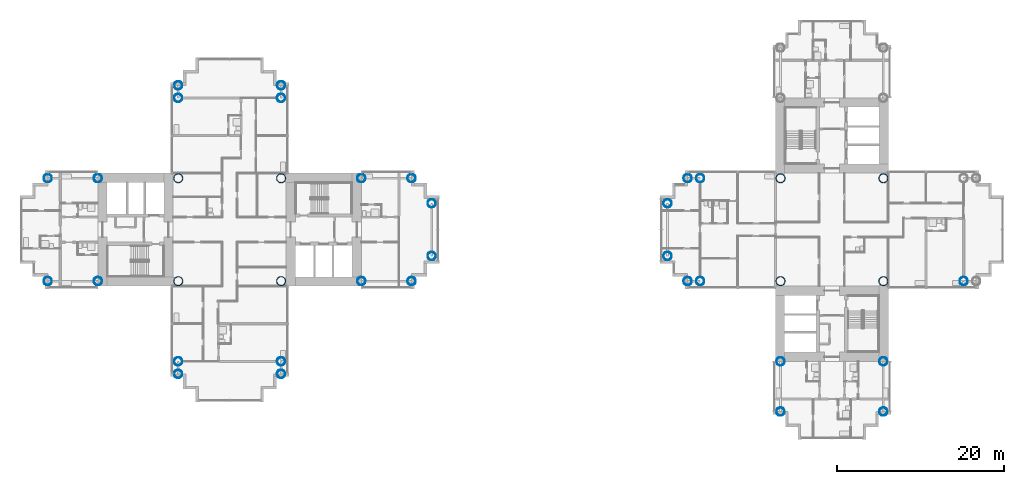
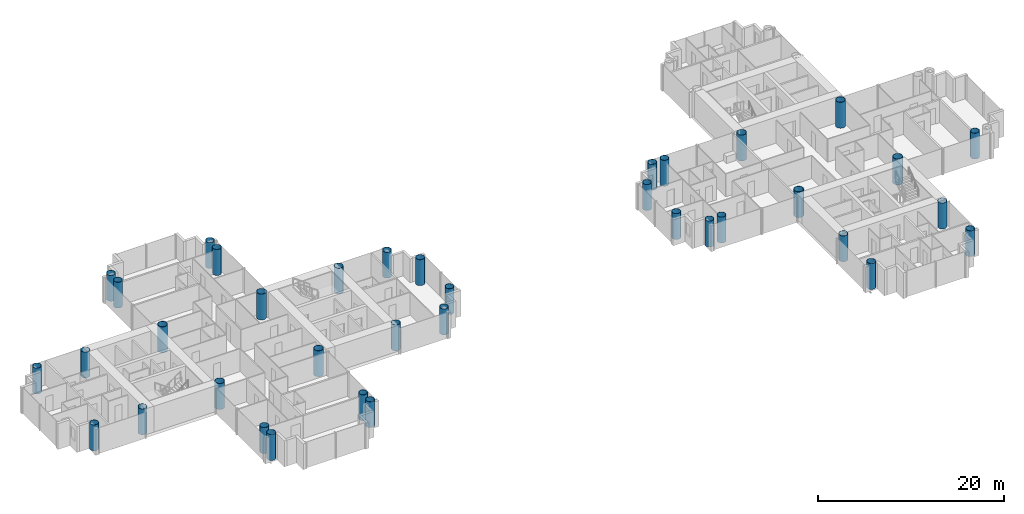
# One storey, part 1 of 22: 37 columns.
"""IFC4 building model written with IfcOpenShell, lengths in metres."""

import ifcopenshell
import ifcopenshell.guid

model = None  # the IFC model being written
_history = None  # IfcOwnerHistory: only IFC2X3 demands one
_inside = {}  # id of a spatial element -> (the spatial element, [elements in it])
_under = {}  # id of a project, library or spatial element -> (it, [spatial elements below it])
_declared = {}  # id of a project -> (the project, [libraries it declares])
_typed = {}  # id of a type object -> (the type object, [elements of that type])
_made_of = {}  # id of a material, layer set ... -> (it, [elements and type objects made of it])


def new_model(schema):
    """Start an empty IFC model of exactly this schema.

    Asked for "IFC4X3", IfcOpenShell would pick the latest addendum, in which some entities
    have other attributes; the version numbers below select the first issue.
    IFC2X3 requires an IfcOwnerHistory on every rooted entity: one is made here for all.
    """
    global model, _history
    if schema == "IFC4X3":
        model = ifcopenshell.file(schema_version=(4, 3, 0, 0))
    else:
        model = ifcopenshell.file(schema=schema)
    _inside.clear()
    _under.clear()
    _declared.clear()
    _typed.clear()
    _made_of.clear()
    _history = None
    if model.schema == "IFC2X3":
        org = make("IfcOrganization", Name="unknown")
        user = make(
            "IfcPersonAndOrganization",
            ThePerson=make("IfcPerson", FamilyName="unknown"),
            TheOrganization=org,
        )
        app = make(
            "IfcApplication",
            ApplicationDeveloper=org,
            Version="unknown",
            ApplicationFullName="unknown",
            ApplicationIdentifier="unknown",
        )
        _history = make(
            "IfcOwnerHistory",
            OwningUser=user,
            OwningApplication=app,
            ChangeAction="ADDED",
            CreationDate=0,
        )
    return model


def make(cls, **values):
    """One entity of the class cls with the attributes given. An attribute that is None is left unset."""
    return model.create_entity(
        cls, **{name: value for name, value in values.items() if value is not None}
    )


def rooted(cls, **values):
    """An entity with a GlobalId (a new one), such as an element, a storey or a relation."""
    return make(cls, GlobalId=ifcopenshell.guid.new(), OwnerHistory=_history, **values)


def si_unit(unit_type, name, prefix=None):
    """IfcSIUnit, for example si_unit("LENGTHUNIT", "METRE", prefix="MILLI")."""
    return make("IfcSIUnit", UnitType=unit_type, Prefix=prefix, Name=name)


def assignment(units):
    """IfcUnitAssignment: the units of a project."""
    return None if units is None else make("IfcUnitAssignment", Units=units)


def point(xyz):
    """IfcCartesianPoint."""
    return None if xyz is None else make("IfcCartesianPoint", Coordinates=xyz)


def direction(xyz):
    """IfcDirection."""
    return None if xyz is None else make("IfcDirection", DirectionRatios=xyz)


def frame(location, z_axis=None, x_axis=None):
    """IfcAxis2Placement3D, a coordinate frame: its origin and axes. An axis left out is left unset."""
    return make(
        "IfcAxis2Placement3D",
        Location=point(location),
        Axis=direction(z_axis),
        RefDirection=direction(x_axis),
    )


def frame_2d(location, x_axis=None):
    """IfcAxis2Placement2D, a coordinate frame in the plane: its origin and x axis."""
    return make(
        "IfcAxis2Placement2D", Location=point(location), RefDirection=direction(x_axis)
    )


def origin():
    """The frame at (0, 0, 0) with its axes left unset."""
    return frame((0.0, 0.0, 0.0))


def origin_2d():
    """The frame at (0, 0) in the plane with its x axis left unset."""
    return frame_2d((0.0, 0.0))


def place(relative_to, where):
    """IfcLocalPlacement: puts the frame where relative to a parent placement (None: the world)."""
    return make(
        "IfcLocalPlacement", PlacementRelTo=relative_to, RelativePlacement=where
    )


def context(
    kind, dimensions, precision=None, world=None, true_north=None, identifier=None
):
    """IfcGeometricRepresentationContext, for example the 3D "Model" context."""
    return make(
        "IfcGeometricRepresentationContext",
        ContextIdentifier=identifier,
        ContextType=kind,
        CoordinateSpaceDimension=dimensions,
        Precision=precision,
        WorldCoordinateSystem=world,
        TrueNorth=true_north,
    )


def subcontext(parent, identifier, kind, view, scale=None):
    """IfcGeometricRepresentationSubContext, for example "Body" below "Model"."""
    return make(
        "IfcGeometricRepresentationSubContext",
        ContextIdentifier=identifier,
        ContextType=kind,
        ParentContext=parent,
        TargetScale=scale,
        TargetView=view,
    )


def project(units=None, contexts=None):
    """IfcProject with its units and contexts."""
    return rooted(
        "IfcProject",
        Name="project",
        RepresentationContexts=contexts,
        UnitsInContext=assignment(units),
    )


def spatial(cls, under=None, at=None, **own):
    """A site, building, storey or space (cls), placed at a placement, below another one or the project."""
    s = rooted(cls, ObjectPlacement=at, **own)
    if under is not None:
        _under.setdefault(under.id(), (under, []))[1].append(s)
    return s


def profile(cls, at=None, kind="AREA", **sizes):
    """A parametric profile (cls). Its sizes go by their IFC names, for example OverallWidth=200.0."""
    return make(cls, ProfileType=kind, Position=at, **sizes)


def hollow_circle(**sizes):
    """IfcCircleHollowProfileDef."""
    return profile("IfcCircleHollowProfileDef", **sizes)


def extrude(swept, where, along, depth):
    """IfcExtrudedAreaSolid: the profile swept, set in the frame where, extruded along a direction by depth."""
    return make(
        "IfcExtrudedAreaSolid",
        SweptArea=swept,
        Position=where,
        ExtrudedDirection=direction(along),
        Depth=depth,
    )


def shape(context_of_items, identifier, shape_type, items):
    """IfcShapeRepresentation: the items that make up one representation, for example the "Body"."""
    return make(
        "IfcShapeRepresentation",
        ContextOfItems=context_of_items,
        RepresentationIdentifier=identifier,
        RepresentationType=shape_type,
        Items=items,
    )


def material(Name=None, Category=None):
    """IfcMaterial."""
    return make("IfcMaterial", Name=Name, Category=Category)


def material_profile(
    of_material, cross_section, Name=None, Category=None, Priority=None
):
    """IfcMaterialProfile: a cross section and its material."""
    return make(
        "IfcMaterialProfile",
        Name=Name,
        Material=of_material,
        Profile=cross_section,
        Priority=Priority,
        Category=Category,
    )


def profile_set(profiles, Name=None, composite=None):
    """IfcMaterialProfileSet."""
    return make(
        "IfcMaterialProfileSet",
        Name=Name,
        MaterialProfiles=profiles,
        CompositeProfile=composite,
    )


def made_of(thing, what):
    """Note that an element or type object is made of a material, layer set ...; save() writes the relation."""
    if what is not None:
        _made_of.setdefault(what.id(), (what, []))[1].append(thing)
    return thing


def type_object(cls, material=None, **own):
    """A type object (cls), such as IfcWallType, which elements share."""
    return made_of(rooted(cls, **own), material)


def element(
    cls,
    number,
    at=None,
    inside=None,
    cuts=None,
    type_object=None,
    material=None,
    context=None,
    identifier="Body",
    shape_type=None,
    held_by="IfcProductDefinitionShape",
    body=None,
    shapes=None,
    **own,
):
    """One element of the class cls, such as IfcWall. Its Tag is "e" and its number.

    at: its placement. inside: the storey or other place that contains it. cuts: it is an
    opening in that element (IfcRelVoidsElement). A single representation is given by context,
    identifier, shape_type and body (its items); several are given by shapes. held_by: the class
    of the entity that holds the representations. save() writes the other relations.
    """
    e = rooted(cls, Tag="e%d" % number, ObjectPlacement=at, **own)
    if body is not None:
        shapes = [shape(context, identifier, shape_type, body)]
    if shapes is not None:
        e.Representation = make(held_by, Representations=shapes)
    if inside is not None:
        _inside.setdefault(inside.id(), (inside, []))[1].append(e)
    if cuts is not None:
        rooted(
            "IfcRelVoidsElement", RelatingBuildingElement=cuts, RelatedOpeningElement=e
        )
    if type_object is not None:
        _typed.setdefault(type_object.id(), (type_object, []))[1].append(e)
    return made_of(e, material)


def aggregate(whole, parts):
    """IfcRelAggregates: a whole, such as a stair, and the parts it consists of."""
    return rooted("IfcRelAggregates", RelatingObject=whole, RelatedObjects=parts)


def save(model, path):
    """Write the relations noted so far, then the file.

    IfcRelAggregates (storeys below a building ...), IfcRelContainedInSpatialStructure (elements
    in a storey), IfcRelDefinesByType, IfcRelAssociatesMaterial and IfcRelDeclares: one each for
    every whole, place, type object, material and project.
    """
    for whole, parts in _under.values():
        aggregate(whole, parts)
    for where, things in _inside.values():
        rooted(
            "IfcRelContainedInSpatialStructure",
            RelatedElements=things,
            RelatingStructure=where,
        )
    for kind, things in _typed.values():
        rooted("IfcRelDefinesByType", RelatedObjects=things, RelatingType=kind)
    for what, things in _made_of.values():
        rooted("IfcRelAssociatesMaterial", RelatedObjects=things, RelatingMaterial=what)
    for by, libraries in _declared.values():
        rooted("IfcRelDeclares", RelatingContext=by, RelatedDefinitions=libraries)
    model.write(path)


model = new_model("IFC4")

# Units and contexts
model_context = context("Model", 3, precision=1e-05, world=origin(), true_north=direction((0.0, 1.0)))
body_context = subcontext(model_context, "Body", "Model", "MODEL_VIEW")
ifc_project = project(units=[si_unit("LENGTHUNIT", "METRE"), si_unit("AREAUNIT", "SQUARE_METRE"), si_unit("VOLUMEUNIT", "CUBIC_METRE"), si_unit("PLANEANGLEUNIT", "RADIAN"), si_unit("MASSUNIT", "GRAM", prefix="KILO")], contexts=[model_context])

# Site, building, storey
site_placement = place(None, origin())
site = spatial("IfcSite", under=ifc_project, at=site_placement, CompositionType="ELEMENT")
building_placement = place(site_placement, origin())
building = spatial("IfcBuilding", under=site, at=building_placement, Name="Ipe Terrace Towers", CompositionType="ELEMENT")
storey_placement = place(building_placement, frame((0.0, 0.0, 61.89990234375)))
storey = spatial("IfcBuildingStorey", under=building, at=storey_placement, Name="L16", CompositionType="ELEMENT", Elevation=61.89990234375)

# Columns
ifc_material_1 = material(Name="Steel S355 tube with Concrete C60/75 fill", Category="concrete")
ifc_material_profile_1 = material_profile(ifc_material_1, hollow_circle(Radius=0.5, WallThickness=0.035888671875, at=origin_2d()), Name="CHS-1000x36")
ifc_profile_set_1 = profile_set([ifc_material_profile_1], Name="Steel S355 tube with Concrete C60/75 fill")
column_type_1 = type_object("IfcColumnType", Name="CH01 COLUMN CHS-1000x36", PredefinedType="COLUMN", material=ifc_profile_set_1)
for number, where, z_axis, x_axis, name in (
    (1, (-20.25, -6.14990234375, 0.0), (0.0, 0.0, 1.0), (1.0, 0.0, 0.0), "Column T1-C-A01"),
    (2, (-20.25, 6.14990234375, 0.0), (0.0, 0.0, 1.0), (1.0, 0.0, 0.0), "Column T1-C-A02"),
    (3, (-14.25, -6.14990234375, 0.0), (0.0, 0.0, 1.0), (1.0, 0.0, 0.0), "Column T1-C-A03"),
    (4, (-14.25, 6.14990234375, 0.0), (0.0, 0.0, 1.0), (1.0, 0.0, 0.0), "Column T1-C-A04"),
    (5, (-11.85009765625, -3.14990234375, 0.0), (0.0, 0.0, 1.0), (1.0, 0.0, 0.0), "Column T1-C-A05"),
    (6, (-11.85009765625, 3.14990234375, 0.0), (0.0, 0.0, 1.0), (1.0, 0.0, 0.0), "Column T1-C-A06"),
    (7, (-29.85009765625, 15.75, 0.0), (0.0, 0.0, 1.0), (1.0, 0.0, 0.0), "Column T1-C-B03"),
    (8, (-42.14990234375, 15.75, 0.0), (0.0, 0.0, 1.0), (1.0, 0.0, 0.0), "Column T1-C-B04"),
    (9, (-29.85009765625, 17.25, 0.0), (0.0, 0.0, 1.0), (1.0, 0.0, 0.0), "Column T1-C-B05"),
    (10, (-42.14990234375, 17.25, 0.0), (0.0, 0.0, 1.0), (1.0, 0.0, 0.0), "Column T1-C-B06"),
    (11, (-51.75, -6.14990234375, 0.0), (0.0, 0.0, 1.0), (1.0, 0.0, 0.0), "Column T1-C-C01"),
    (12, (-51.75, 6.14990234375, 0.0), (0.0, 0.0, 1.0), (1.0, 0.0, 0.0), "Column T1-C-C02"),
    (13, (-57.75, -6.14990234375, 0.0), (0.0, 0.0, 1.0), (1.0, 0.0, 0.0), "Column T1-C-C03"),
    (14, (-57.75, 6.14990234375, 0.0), (0.0, 0.0, 1.0), (1.0, 0.0, 0.0), "Column T1-C-C04"),
    (15, (-42.14990234375, -15.75, 0.0), (0.0, 0.0, 1.0), (1.0, 0.0, 0.0), "Column T1-C-D03"),
    (16, (-29.85009765625, -15.75, 0.0), (0.0, 0.0, 1.0), (1.0, 0.0, 0.0), "Column T1-C-D04"),
    (17, (-42.14990234375, -17.25, 0.0), (0.0, 0.0, 1.0), (1.0, 0.0, 0.0), "Column T1-C-D05"),
    (18, (-29.85009765625, -17.25, 0.0), (0.0, 0.0, 1.0), (1.0, 0.0, 0.0), "Column T1-C-D06"),
    (19, (20.25, 6.14990234375, 0.0), (0.0, 0.0, 1.0), (1.0, 0.0, 0.0), "Column T2-C-B03"),
    (20, (20.25, -6.14990234375, 0.0), (0.0, 0.0, 1.0), (1.0, 0.0, 0.0), "Column T2-C-B04"),
    (21, (18.75, 6.14990234375, 0.0), (0.0, 0.0, 1.0), (1.0, 0.0, 0.0), "Column T2-C-B05"),
    (22, (18.75, -6.14990234375, 0.0), (0.0, 0.0, 1.0), (1.0, 0.0, 0.0), "Column T2-C-B06"),
    (23, (16.35009765625, 3.14990234375, 0.0), (0.0, 0.0, 1.0), (1.0, 0.0, 0.0), "Column T2-C-B07"),
    (24, (16.35009765625, -3.14990234375, 0.0), (0.0, 0.0, 1.0), (1.0, 0.0, 0.0), "Column T2-C-B08"),
    (25, (42.14990234375, -15.75, 0.0), (0.0, 0.0, 1.0), (1.0, 0.0, 0.0), "Column T2-C-C01"),
    (26, (29.85009765625, -15.75, 0.0), (0.0, 0.0, 1.0), (1.0, 0.0, 0.0), "Column T2-C-C02"),
    (27, (42.14990234375, -21.75, 0.0), (0.0, 0.0, 1.0), (1.0, 0.0, 0.0), "Column T2-C-C03"),
    (28, (29.85009765625, -21.75, 0.0), (0.0, 0.0, 1.0), (1.0, 0.0, 0.0), "Column T2-C-C04"),
    (29, (51.75, -6.14990234375, 0.0), (0.0, 0.0, 1.0), (1.0, 0.0, 0.0), "Column T2-C-D03"),
):
    element("IfcColumn", number, at=place(storey_placement, frame(where, z_axis=z_axis, x_axis=x_axis)), inside=storey, type_object=column_type_1, Name=name, PredefinedType="COLUMN", context=body_context, shape_type="SweptSolid", body=[
        extrude(hollow_circle(Radius=0.5, WallThickness=0.035888671875, at=origin_2d()), origin(), (0.0, 0.0, 1.0), 3.400146484375),
    ])
ifc_material_2 = material(Name="Steel S355 tube with Concrete C60/75 fill", Category="concrete")
ifc_material_profile_2 = material_profile(ifc_material_2, hollow_circle(Radius=0.550048828125, WallThickness=0.0400390625, at=origin_2d()), Name="CHS-1100x40")
ifc_profile_set_2 = profile_set([ifc_material_profile_2], Name="Steel S355 tube with Concrete C60/75 fill")
column_type_2 = type_object("IfcColumnType", Name="CH02 COLUMN CHS-1100x40", PredefinedType="COLUMN", material=ifc_profile_set_2)
for number, where, z_axis, x_axis, name in (
    (30, (-42.14990234375, -6.14990234375, 0.0), (0.0, 0.0, 1.0), (1.0, 0.0, 0.0), "Column T1-C-E01"),
    (31, (-29.85009765625, -6.14990234375, 0.0), (0.0, 0.0, 1.0), (1.0, 0.0, 0.0), "Column T1-C-E02"),
    (32, (-29.85009765625, 6.14990234375, 0.0), (0.0, 0.0, 1.0), (1.0, 0.0, 0.0), "Column T1-C-E03"),
    (33, (-42.14990234375, 6.14990234375, 0.0), (0.0, 0.0, 1.0), (1.0, 0.0, 0.0), "Column T1-C-E04"),
    (34, (42.14990234375, -6.14990234375, 0.0), (0.0, 0.0, 1.0), (1.0, 0.0, 0.0), "Column T2-C-E01"),
    (35, (42.14990234375, 6.14990234375, 0.0), (0.0, 0.0, 1.0), (1.0, 0.0, 0.0), "Column T2-C-E02"),
    (36, (29.85009765625, 6.14990234375, 0.0), (0.0, 0.0, 1.0), (1.0, 0.0, 0.0), "Column T2-C-E03"),
    (37, (29.85009765625, -6.14990234375, 0.0), (0.0, 0.0, 1.0), (1.0, 0.0, 0.0), "Column T2-C-E04"),
):
    element("IfcColumn", number, at=place(storey_placement, frame(where, z_axis=z_axis, x_axis=x_axis)), inside=storey, type_object=column_type_2, Name=name, PredefinedType="COLUMN", context=body_context, shape_type="SweptSolid", body=[
        extrude(hollow_circle(Radius=0.550048828125, WallThickness=0.0400390625, at=origin_2d()), origin(), (0.0, 0.0, 1.0), 3.400146484375),
    ])

save(model, "model.ifc")
